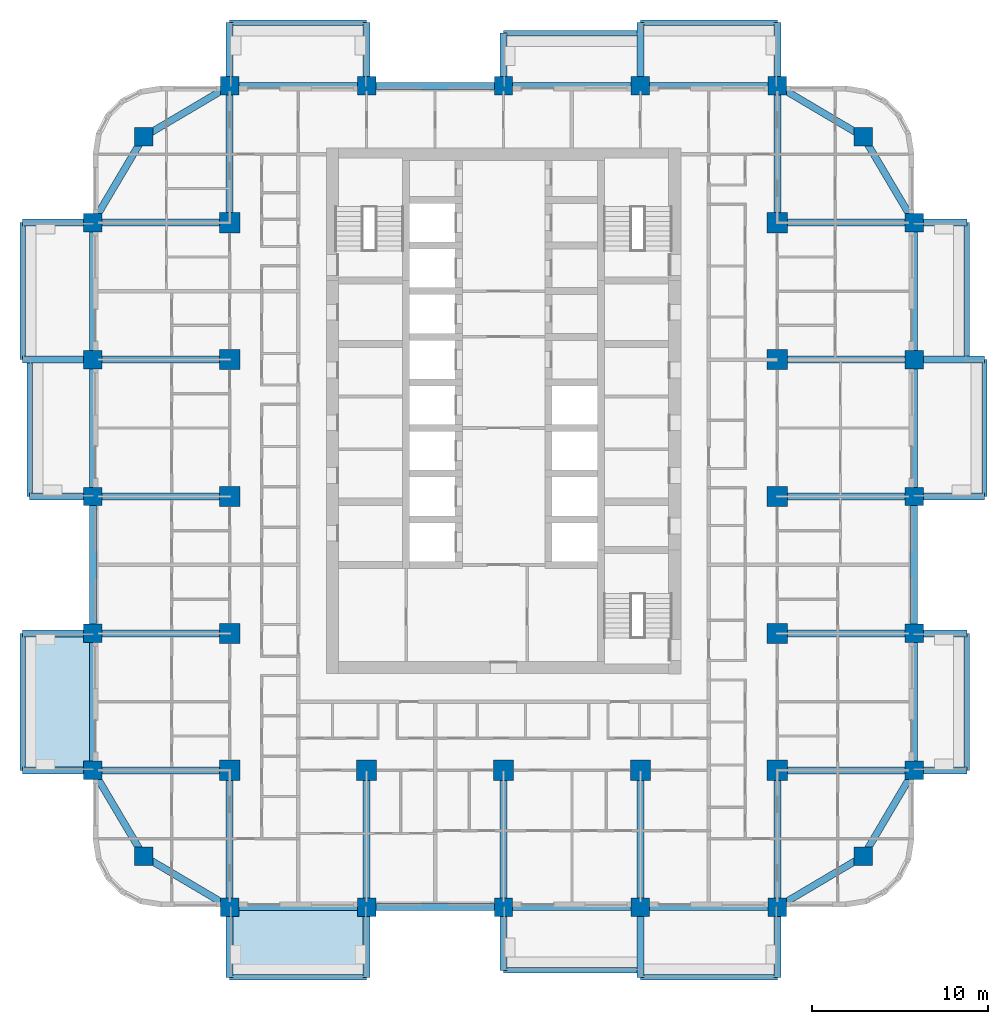
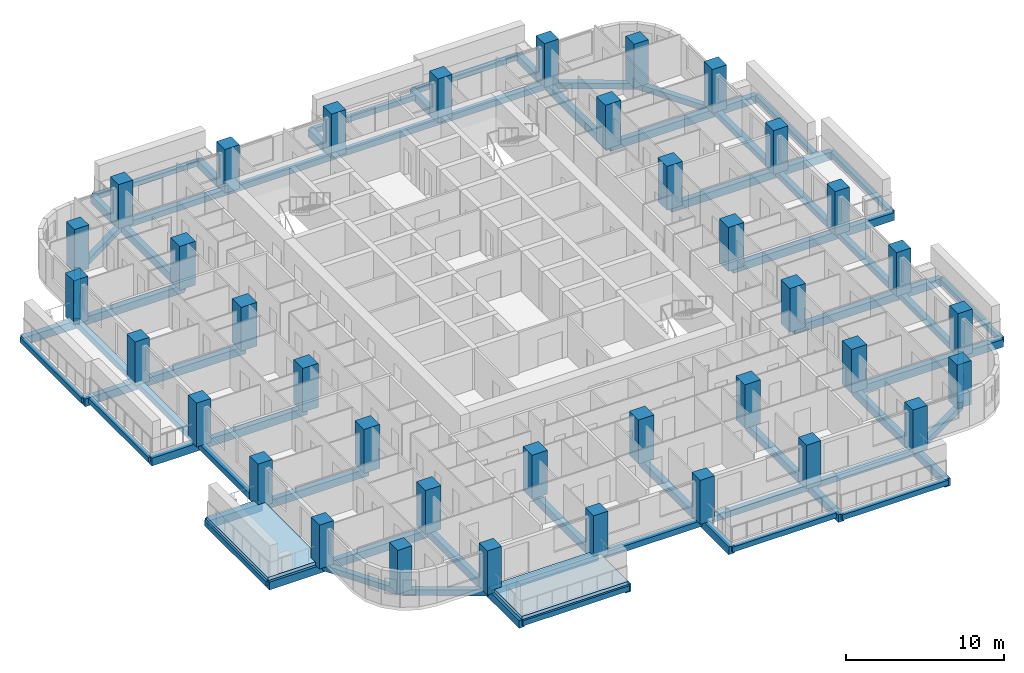
# One storey, part 1 of 18: 73 beams, 37 columns, 2 slabs.
"""IFC4 building model written with IfcOpenShell, lengths in metres."""

from ifc_helpers import new_model, si_unit, direction, frame, origin, origin_2d, place, context, subcontext, project, spatial, polyline, rectangle, outline, extrude, material, layer, layer_set, material_profile, profile_set, type_object, element, save


model = new_model("IFC4")

# Units and contexts
model_context = context("Model", 3, precision=1e-05, world=origin(), true_north=direction((0.0, 1.0)))
body_context = subcontext(model_context, "Body", "Model", "MODEL_VIEW")
ifc_project = project(units=[si_unit("LENGTHUNIT", "METRE"), si_unit("AREAUNIT", "SQUARE_METRE"), si_unit("VOLUMEUNIT", "CUBIC_METRE"), si_unit("PLANEANGLEUNIT", "RADIAN"), si_unit("MASSUNIT", "GRAM", prefix="KILO")], contexts=[model_context])

# Site, building, storey
site_placement = place(None, origin())
site = spatial("IfcSite", under=ifc_project, at=site_placement, CompositionType="ELEMENT")
building_placement = place(site_placement, origin())
building = spatial("IfcBuilding", under=site, at=building_placement, Name="Ludao Terraces", CompositionType="ELEMENT")
storey_placement = place(building_placement, frame((0.0, 0.0, 29.699951171875)))
storey = spatial("IfcBuildingStorey", under=building, at=storey_placement, Name="L07", CompositionType="ELEMENT", Elevation=29.699951171875)

# Columns
ifc_material_1 = material(Name="Concrete C60", Category="concrete")
ifc_material_profile_1 = material_profile(ifc_material_1, rectangle(XDim=1.050048828125, YDim=1.050048828125, at=origin_2d()), Name="1050 X 1050")
ifc_profile_set_1 = profile_set([ifc_material_profile_1], Name="Concrete C60")
column_type_1 = type_object("IfcColumnType", Name="RC column 1050x1050 C60", PredefinedType="COLUMN", material=ifc_profile_set_1)
for number, where, z_axis, x_axis, name in (
    (1, (64.5, 44.5, -0.25), (0.0, 0.0, 1.0), (1.0, 0.0, 0.0), "Column L07 C0029x0029"),
    (2, (105.5, 44.5, -0.25), (0.0, 0.0, 1.0), (1.0, 0.0, 0.0), "Column L07 C0439x0029"),
    (3, (64.5, 85.5, -0.25), (0.0, 0.0, 1.0), (1.0, 0.0, 0.0), "Column L07 C0029x0439"),
    (4, (105.5, 85.5, -0.25), (0.0, 0.0, 1.0), (1.0, 0.0, 0.0), "Column L07 C0439x0439"),
    (5, (61.60009765625, 49.39990234375, -0.25), (0.0, 0.0, 1.0), (1.0, 0.0, 0.0), "Column L07 F0000x0078"),
    (6, (108.39990234375, 49.39990234375, -0.25), (0.0, 0.0, 1.0), (1.0, 0.0, 0.0), "Column L07 F0468x0078"),
    (7, (69.39990234375, 41.60009765625, -0.25), (0.0, 0.0, 1.0), (1.0, 0.0, 0.0), "Column L07 F0078x0000"),
    (8, (69.39990234375, 88.39990234375, -0.25), (0.0, 0.0, 1.0), (1.0, 0.0, 0.0), "Column L07 F0078x0468"),
    (9, (61.60009765625, 57.199951171875, -0.25), (0.0, 0.0, 1.0), (1.0, 0.0, 0.0), "Column L07 F0000x0156"),
    (10, (108.39990234375, 57.199951171875, -0.25), (0.0, 0.0, 1.0), (1.0, 0.0, 0.0), "Column L07 F0468x0156"),
    (11, (77.199951171875, 41.60009765625, -0.25), (0.0, 0.0, 1.0), (1.0, 0.0, 0.0), "Column L07 F0156x0000"),
    (12, (77.199951171875, 88.39990234375, -0.25), (0.0, 0.0, 1.0), (1.0, 0.0, 0.0), "Column L07 F0156x0468"),
    (13, (61.60009765625, 65.0, -0.25), (0.0, 0.0, 1.0), (1.0, 0.0, 0.0), "Column L07 F0000x0234"),
    (14, (108.39990234375, 65.0, -0.25), (0.0, 0.0, 1.0), (1.0, 0.0, 0.0), "Column L07 F0468x0234"),
    (15, (85.0, 41.60009765625, -0.25), (0.0, 0.0, 1.0), (1.0, 0.0, 0.0), "Column L07 F0234x0000"),
    (16, (85.0, 88.39990234375, -0.25), (0.0, 0.0, 1.0), (1.0, 0.0, 0.0), "Column L07 F0234x0468"),
    (17, (61.60009765625, 72.800048828125, -0.25), (0.0, 0.0, 1.0), (1.0, 0.0, 0.0), "Column L07 F0000x0312"),
    (18, (108.39990234375, 72.800048828125, -0.25), (0.0, 0.0, 1.0), (1.0, 0.0, 0.0), "Column L07 F0468x0312"),
    (19, (92.800048828125, 41.60009765625, -0.25), (0.0, 0.0, 1.0), (1.0, 0.0, 0.0), "Column L07 F0312x0000"),
    (20, (92.800048828125, 88.39990234375, -0.25), (0.0, 0.0, 1.0), (1.0, 0.0, 0.0), "Column L07 F0312x0468"),
    (21, (61.60009765625, 80.60009765625, -0.25), (0.0, 0.0, 1.0), (1.0, 0.0, 0.0), "Column L07 F0000x0390"),
    (22, (108.39990234375, 80.60009765625, -0.25), (0.0, 0.0, 1.0), (1.0, 0.0, 0.0), "Column L07 F0468x0390"),
    (23, (100.60009765625, 41.60009765625, -0.25), (0.0, 0.0, 1.0), (1.0, 0.0, 0.0), "Column L07 F0390x0000"),
    (24, (100.60009765625, 88.39990234375, -0.25), (0.0, 0.0, 1.0), (1.0, 0.0, 0.0), "Column L07 F0390x0468"),
):
    element("IfcColumn", number, at=place(storey_placement, frame(where, z_axis=z_axis, x_axis=x_axis)), inside=storey, type_object=column_type_1, Name=name, PredefinedType="COLUMN", context=body_context, shape_type="SweptSolid", body=[
        extrude(rectangle(XDim=1.050048828125, YDim=1.050048828125, at=origin_2d()), origin(), (0.0, 0.0, 1.0), 3.400146484375),
    ])
ifc_material_profile_2 = material_profile(ifc_material_1, rectangle(XDim=1.14990234375, YDim=1.14990234375, at=origin_2d()), Name="1150 X 1150")
ifc_profile_set_2 = profile_set([ifc_material_profile_2], Name="Concrete C60")
column_type_2 = type_object("IfcColumnType", Name="RC column 1150x1150 C60", PredefinedType="COLUMN", material=ifc_profile_set_2)
for number, where, z_axis, x_axis, name in (
    (25, (69.39990234375, 49.39990234375, -0.25), (0.0, 0.0, 1.0), (1.0, 0.0, 0.0), "Column L07 S0078x0078"),
    (26, (69.39990234375, 57.199951171875, -0.25), (0.0, 0.0, 1.0), (1.0, 0.0, 0.0), "Column L07 S0078x0156"),
    (27, (69.39990234375, 65.0, -0.25), (0.0, 0.0, 1.0), (1.0, 0.0, 0.0), "Column L07 S0078x0234"),
    (28, (69.39990234375, 72.800048828125, -0.25), (0.0, 0.0, 1.0), (1.0, 0.0, 0.0), "Column L07 S0078x0312"),
    (29, (69.39990234375, 80.60009765625, -0.25), (0.0, 0.0, 1.0), (1.0, 0.0, 0.0), "Column L07 S0078x0390"),
    (30, (77.199951171875, 49.39990234375, -0.25), (0.0, 0.0, 1.0), (1.0, 0.0, 0.0), "Column L07 S0156x0078"),
    (31, (85.0, 49.39990234375, -0.25), (0.0, 0.0, 1.0), (1.0, 0.0, 0.0), "Column L07 S0234x0078"),
    (32, (92.800048828125, 49.39990234375, -0.25), (0.0, 0.0, 1.0), (1.0, 0.0, 0.0), "Column L07 S0312x0078"),
    (33, (100.60009765625, 49.39990234375, -0.25), (0.0, 0.0, 1.0), (1.0, 0.0, 0.0), "Column L07 S0390x0078"),
    (34, (100.60009765625, 57.199951171875, -0.25), (0.0, 0.0, 1.0), (1.0, 0.0, 0.0), "Column L07 S0390x0156"),
    (35, (100.60009765625, 65.0, -0.25), (0.0, 0.0, 1.0), (1.0, 0.0, 0.0), "Column L07 S0390x0234"),
    (36, (100.60009765625, 72.800048828125, -0.25), (0.0, 0.0, 1.0), (1.0, 0.0, 0.0), "Column L07 S0390x0312"),
    (37, (100.60009765625, 80.60009765625, -0.25), (0.0, 0.0, 1.0), (1.0, 0.0, 0.0), "Column L07 S0390x0390"),
):
    element("IfcColumn", number, at=place(storey_placement, frame(where, z_axis=z_axis, x_axis=x_axis)), inside=storey, type_object=column_type_2, Name=name, PredefinedType="COLUMN", context=body_context, shape_type="SweptSolid", body=[
        extrude(rectangle(XDim=1.14990234375, YDim=1.14990234375, at=origin_2d()), origin(), (0.0, 0.0, 1.0), 3.400146484375),
    ])

# Beams
ifc_material_2 = material(Name="Concrete C40", Category="concrete")
ifc_material_profile_3 = material_profile(ifc_material_2, rectangle(XDim=0.300048828125, YDim=0.39990234375, at=origin_2d()), Name="300 X 400")
ifc_profile_set_3 = profile_set([ifc_material_profile_3], Name="Concrete C40")
beam_type_1 = type_object("IfcBeamType", Name="RC beam 300x400 C40", PredefinedType="BEAM", material=ifc_profile_set_3)
for number, where, z_axis, x_axis, name in (
    (38, (69.39990234375, 37.60009765625, -0.449951171875), (1.0, 0.0, 0.0), (0.0, 1.0, 0.0), "Balcony edge beam L07 S1"),
    (39, (85.0, 38.0, -0.449951171875), (1.0, 0.0, 0.0), (0.0, 1.0, 0.0), "Balcony edge beam L07 S3"),
    (40, (92.800048828125, 37.60009765625, -0.449951171875), (1.0, 0.0, 0.0), (0.0, 1.0, 0.0), "Balcony edge beam L07 S4"),
    (41, (111.39990234375, 49.39990234375, -0.449951171875), (0.0, 1.0, 0.0), (-1.0, 0.0, 0.0), "Balcony edge beam L07 E1"),
    (42, (112.39990234375, 65.0, -0.449951171875), (0.0, 1.0, 0.0), (-1.0, 0.0, 0.0), "Balcony edge beam L07 E3"),
    (43, (111.39990234375, 72.800048828125, -0.449951171875), (0.0, 1.0, 0.0), (-1.0, 0.0, 0.0), "Balcony edge beam L07 E4"),
    (44, (69.39990234375, 92.0, -0.449951171875), (1.0, 0.0, 0.0), (0.0, 1.0, 0.0), "Balcony edge beam L07 N1"),
    (45, (85.0, 91.39990234375, -0.449951171875), (1.0, 0.0, 0.0), (0.0, 1.0, 0.0), "Balcony edge beam L07 N3"),
    (46, (92.800048828125, 92.0, -0.449951171875), (1.0, 0.0, 0.0), (0.0, 1.0, 0.0), "Balcony edge beam L07 N4"),
    (47, (57.60009765625, 49.39990234375, -0.449951171875), (0.0, 1.0, 0.0), (-1.0, 0.0, 0.0), "Balcony edge beam L07 W1"),
    (48, (58.0, 65.0, -0.449951171875), (0.0, 1.0, 0.0), (-1.0, 0.0, 0.0), "Balcony edge beam L07 W3"),
    (49, (57.60009765625, 72.800048828125, -0.449951171875), (0.0, 1.0, 0.0), (-1.0, 0.0, 0.0), "Balcony edge beam L07 W4"),
):
    element("IfcBeam", number, at=place(storey_placement, frame(where, z_axis=z_axis, x_axis=x_axis)), inside=storey, type_object=beam_type_1, Name=name, PredefinedType="BEAM", context=body_context, shape_type="SweptSolid", body=[
        extrude(rectangle(XDim=0.300048828125, YDim=0.39990234375, at=origin_2d()), origin(), (0.0, 0.0, 1.0), 7.800048828125),
    ])
ifc_material_profile_4 = material_profile(ifc_material_2, rectangle(XDim=0.39990234375, YDim=0.449951171875, at=origin_2d()), Name="400 X 450")
ifc_profile_set_4 = profile_set([ifc_material_profile_4], Name="Concrete C40")
beam_type_2 = type_object("IfcBeamType", Name="RC beam 400x450 C40", PredefinedType="BEAM", material=ifc_profile_set_4)
beam_1_placement = place(storey_placement, frame((64.5, 44.5, -0.474853515625), z_axis=(0.860579751256, -0.509315709288, 0.0), x_axis=(0.509315709288, 0.860579751256, 0.0)))
element("IfcBeam", 50, at=beam_1_placement, inside=storey, type_object=beam_type_2, Name="Spandrel beam L07 S1", PredefinedType="BEAM", context=body_context, shape_type="SweptSolid", body=[
    extrude(rectangle(XDim=0.39990234375, YDim=0.449951171875, at=origin_2d()), origin(), (0.0, 0.0, 1.0), 5.693603515625),
])
for number, where, z_axis, x_axis, name in (
    (51, (69.39990234375, 41.60009765625, -0.474853515625), (1.0, 0.0, 0.0), (0.0, 1.0, 0.0), "Spandrel beam L07 S2"),
    (52, (77.199951171875, 41.60009765625, -0.474853515625), (1.0, 0.0, 0.0), (0.0, 1.0, 0.0), "Spandrel beam L07 S3"),
    (53, (85.0, 41.60009765625, -0.474853515625), (1.0, 0.0, 0.0), (0.0, 1.0, 0.0), "Spandrel beam L07 S4"),
    (54, (92.800048828125, 41.60009765625, -0.474853515625), (1.0, 0.0, 0.0), (0.0, 1.0, 0.0), "Spandrel beam L07 S5"),
):
    element("IfcBeam", number, at=place(storey_placement, frame(where, z_axis=z_axis, x_axis=x_axis)), inside=storey, type_object=beam_type_2, Name=name, PredefinedType="BEAM", context=body_context, shape_type="SweptSolid", body=[
        extrude(rectangle(XDim=0.39990234375, YDim=0.449951171875, at=origin_2d()), origin(), (0.0, 0.0, 1.0), 7.800048828125),
    ])
for number, where, z_axis, x_axis, name in (
    (55, (100.60009765625, 41.60009765625, -0.474853515625), (0.860579751256, 0.509315709288, 0.0), (-0.509315709288, 0.860579751256, 0.0), "Spandrel beam L07 S6"),
    (56, (64.5, 85.5, -0.474853515625), (0.860579751256, 0.509315709288, 0.0), (-0.509315709288, 0.860579751256, 0.0), "Spandrel beam L07 N7"),
):
    element("IfcBeam", number, at=place(storey_placement, frame(where, z_axis=z_axis, x_axis=x_axis)), inside=storey, type_object=beam_type_2, Name=name, PredefinedType="BEAM", context=body_context, shape_type="SweptSolid", body=[
        extrude(rectangle(XDim=0.39990234375, YDim=0.449951171875, at=origin_2d()), origin(), (0.0, 0.0, 1.0), 5.693603515625),
    ])
for number, where, z_axis, x_axis, name in (
    (57, (69.39990234375, 88.39990234375, -0.474853515625), (1.0, 0.0, 0.0), (0.0, 1.0, 0.0), "Spandrel beam L07 N8"),
    (58, (77.199951171875, 88.39990234375, -0.474853515625), (1.0, 0.0, 0.0), (0.0, 1.0, 0.0), "Spandrel beam L07 N9"),
    (59, (85.0, 88.39990234375, -0.474853515625), (1.0, 0.0, 0.0), (0.0, 1.0, 0.0), "Spandrel beam L07 N10"),
    (60, (92.800048828125, 88.39990234375, -0.474853515625), (1.0, 0.0, 0.0), (0.0, 1.0, 0.0), "Spandrel beam L07 N11"),
):
    element("IfcBeam", number, at=place(storey_placement, frame(where, z_axis=z_axis, x_axis=x_axis)), inside=storey, type_object=beam_type_2, Name=name, PredefinedType="BEAM", context=body_context, shape_type="SweptSolid", body=[
        extrude(rectangle(XDim=0.39990234375, YDim=0.449951171875, at=origin_2d()), origin(), (0.0, 0.0, 1.0), 7.800048828125),
    ])
for number, where, z_axis, x_axis, name in (
    (61, (100.60009765625, 88.39990234375, -0.474853515625), (0.860579751256, -0.509315709288, 0.0), (0.509315709288, 0.860579751256, 0.0), "Spandrel beam L07 N12"),
    (62, (64.5, 44.5, -0.474853515625), (-0.509315709288, 0.860579751256, 0.0), (-0.860579751256, -0.509315709288, 0.0), "Spandrel beam L07 W13"),
):
    element("IfcBeam", number, at=place(storey_placement, frame(where, z_axis=z_axis, x_axis=x_axis)), inside=storey, type_object=beam_type_2, Name=name, PredefinedType="BEAM", context=body_context, shape_type="SweptSolid", body=[
        extrude(rectangle(XDim=0.39990234375, YDim=0.449951171875, at=origin_2d()), origin(), (0.0, 0.0, 1.0), 5.693603515625),
    ])
for number, where, z_axis, x_axis, name in (
    (63, (61.60009765625, 49.39990234375, -0.474853515625), (0.0, 1.0, 0.0), (-1.0, 0.0, 0.0), "Spandrel beam L07 W14"),
    (64, (61.60009765625, 57.199951171875, -0.474853515625), (0.0, 1.0, 0.0), (-1.0, 0.0, 0.0), "Spandrel beam L07 W15"),
    (65, (61.60009765625, 65.0, -0.474853515625), (0.0, 1.0, 0.0), (-1.0, 0.0, 0.0), "Spandrel beam L07 W16"),
    (66, (61.60009765625, 72.800048828125, -0.474853515625), (0.0, 1.0, 0.0), (-1.0, 0.0, 0.0), "Spandrel beam L07 W17"),
):
    element("IfcBeam", number, at=place(storey_placement, frame(where, z_axis=z_axis, x_axis=x_axis)), inside=storey, type_object=beam_type_2, Name=name, PredefinedType="BEAM", context=body_context, shape_type="SweptSolid", body=[
        extrude(rectangle(XDim=0.39990234375, YDim=0.449951171875, at=origin_2d()), origin(), (0.0, 0.0, 1.0), 7.800048828125),
    ])
for number, where, z_axis, x_axis, name in (
    (67, (61.60009765625, 80.60009765625, -0.474853515625), (0.509315709288, 0.860579751256, 0.0), (-0.860579751256, 0.509315709288, 0.0), "Spandrel beam L07 W18"),
    (68, (105.5, 44.5, -0.474853515625), (0.509315709288, 0.860579751256, 0.0), (-0.860579751256, 0.509315709288, 0.0), "Spandrel beam L07 E19"),
):
    element("IfcBeam", number, at=place(storey_placement, frame(where, z_axis=z_axis, x_axis=x_axis)), inside=storey, type_object=beam_type_2, Name=name, PredefinedType="BEAM", context=body_context, shape_type="SweptSolid", body=[
        extrude(rectangle(XDim=0.39990234375, YDim=0.449951171875, at=origin_2d()), origin(), (0.0, 0.0, 1.0), 5.693603515625),
    ])
for number, where, z_axis, x_axis, name in (
    (69, (108.39990234375, 49.39990234375, -0.474853515625), (0.0, 1.0, 0.0), (-1.0, 0.0, 0.0), "Spandrel beam L07 E20"),
    (70, (108.39990234375, 57.199951171875, -0.474853515625), (0.0, 1.0, 0.0), (-1.0, 0.0, 0.0), "Spandrel beam L07 E21"),
    (71, (108.39990234375, 65.0, -0.474853515625), (0.0, 1.0, 0.0), (-1.0, 0.0, 0.0), "Spandrel beam L07 E22"),
    (72, (108.39990234375, 72.800048828125, -0.474853515625), (0.0, 1.0, 0.0), (-1.0, 0.0, 0.0), "Spandrel beam L07 E23"),
):
    element("IfcBeam", number, at=place(storey_placement, frame(where, z_axis=z_axis, x_axis=x_axis)), inside=storey, type_object=beam_type_2, Name=name, PredefinedType="BEAM", context=body_context, shape_type="SweptSolid", body=[
        extrude(rectangle(XDim=0.39990234375, YDim=0.449951171875, at=origin_2d()), origin(), (0.0, 0.0, 1.0), 7.800048828125),
    ])
beam_2_placement = place(storey_placement, frame((108.39990234375, 80.60009765625, -0.474853515625), z_axis=(-0.509315709288, 0.860579751256, 0.0), x_axis=(-0.860579751256, -0.509315709288, 0.0)))
element("IfcBeam", 73, at=beam_2_placement, inside=storey, type_object=beam_type_2, Name="Spandrel beam L07 E24", PredefinedType="BEAM", context=body_context, shape_type="SweptSolid", body=[
    extrude(rectangle(XDim=0.39990234375, YDim=0.449951171875, at=origin_2d()), origin(), (0.0, 0.0, 1.0), 5.693603515625),
])
ifc_material_profile_5 = material_profile(ifc_material_2, rectangle(XDim=0.39990234375, YDim=0.60009765625, at=origin_2d()), Name="400 X 600")
ifc_profile_set_5 = profile_set([ifc_material_profile_5], Name="Concrete C40")
beam_type_3 = type_object("IfcBeamType", Name="RC beam 400x600 C40", PredefinedType="BEAM", material=ifc_profile_set_5)
beam_3_placement = place(storey_placement, frame((100.60009765625, 49.39990234375, -0.550048828125), z_axis=(1.0, 0.0, 0.0), x_axis=(0.0, 1.0, 0.0)))
element("IfcBeam", 74, at=beam_3_placement, inside=storey, type_object=beam_type_3, Name="Balcony beam L07 E494", PredefinedType="BEAM", context=body_context, shape_type="SweptSolid", body=[
    extrude(rectangle(XDim=0.39990234375, YDim=0.60009765625, at=origin_2d()), origin(), (0.0, 0.0, 1.0), 7.7998046875),
])
beam_4_placement = place(storey_placement, frame((108.39990234375, 49.39990234375, -0.550048828125), z_axis=(1.0, 0.0, 0.0), x_axis=(0.0, 1.0, 0.0)))
element("IfcBeam", 75, at=beam_4_placement, inside=storey, type_object=beam_type_3, Name="Balcony beam L07 E494", PredefinedType="BEAM", context=body_context, shape_type="SweptSolid", body=[
    extrude(rectangle(XDim=0.39990234375, YDim=0.60009765625, at=origin_2d()), origin(), (0.0, 0.0, 1.0), 3.0),
])
beam_5_placement = place(storey_placement, frame((100.60009765625, 57.199951171875, -0.550048828125), z_axis=(1.0, 0.0, 0.0), x_axis=(0.0, 1.0, 0.0)))
element("IfcBeam", 76, at=beam_5_placement, inside=storey, type_object=beam_type_3, Name="Balcony beam L07 E572", PredefinedType="BEAM", context=body_context, shape_type="SweptSolid", body=[
    extrude(rectangle(XDim=0.39990234375, YDim=0.60009765625, at=origin_2d()), origin(), (0.0, 0.0, 1.0), 7.7998046875),
])
beam_6_placement = place(storey_placement, frame((108.39990234375, 57.199951171875, -0.550048828125), z_axis=(1.0, 0.0, 0.0), x_axis=(0.0, 1.0, 0.0)))
element("IfcBeam", 77, at=beam_6_placement, inside=storey, type_object=beam_type_3, Name="Balcony beam L07 E572", PredefinedType="BEAM", context=body_context, shape_type="SweptSolid", body=[
    extrude(rectangle(XDim=0.39990234375, YDim=0.60009765625, at=origin_2d()), origin(), (0.0, 0.0, 1.0), 3.0),
])
beam_7_placement = place(storey_placement, frame((100.60009765625, 65.0, -0.550048828125), z_axis=(1.0, 0.0, 0.0), x_axis=(0.0, 1.0, 0.0)))
element("IfcBeam", 78, at=beam_7_placement, inside=storey, type_object=beam_type_3, Name="Balcony beam L07 E650", PredefinedType="BEAM", context=body_context, shape_type="SweptSolid", body=[
    extrude(rectangle(XDim=0.39990234375, YDim=0.60009765625, at=origin_2d()), origin(), (0.0, 0.0, 1.0), 7.7998046875),
])
beam_8_placement = place(storey_placement, frame((108.39990234375, 65.0, -0.550048828125), z_axis=(1.0, 0.0, 0.0), x_axis=(0.0, 1.0, 0.0)))
element("IfcBeam", 79, at=beam_8_placement, inside=storey, type_object=beam_type_3, Name="Balcony beam L07 E650", PredefinedType="BEAM", context=body_context, shape_type="SweptSolid", body=[
    extrude(rectangle(XDim=0.39990234375, YDim=0.60009765625, at=origin_2d()), origin(), (0.0, 0.0, 1.0), 4.0),
])
beam_9_placement = place(storey_placement, frame((100.60009765625, 72.800048828125, -0.550048828125), z_axis=(1.0, 0.0, 0.0), x_axis=(0.0, 1.0, 0.0)))
element("IfcBeam", 80, at=beam_9_placement, inside=storey, type_object=beam_type_3, Name="Balcony beam L07 E728", PredefinedType="BEAM", context=body_context, shape_type="SweptSolid", body=[
    extrude(rectangle(XDim=0.39990234375, YDim=0.60009765625, at=origin_2d()), origin(), (0.0, 0.0, 1.0), 7.7998046875),
])
beam_10_placement = place(storey_placement, frame((108.39990234375, 72.800048828125, -0.550048828125), z_axis=(1.0, 0.0, 0.0), x_axis=(0.0, 1.0, 0.0)))
element("IfcBeam", 81, at=beam_10_placement, inside=storey, type_object=beam_type_3, Name="Balcony beam L07 E728", PredefinedType="BEAM", context=body_context, shape_type="SweptSolid", body=[
    extrude(rectangle(XDim=0.39990234375, YDim=0.60009765625, at=origin_2d()), origin(), (0.0, 0.0, 1.0), 4.0),
])
beam_11_placement = place(storey_placement, frame((100.60009765625, 80.60009765625, -0.550048828125), z_axis=(1.0, 0.0, 0.0), x_axis=(0.0, 1.0, 0.0)))
element("IfcBeam", 82, at=beam_11_placement, inside=storey, type_object=beam_type_3, Name="Balcony beam L07 E806", PredefinedType="BEAM", context=body_context, shape_type="SweptSolid", body=[
    extrude(rectangle(XDim=0.39990234375, YDim=0.60009765625, at=origin_2d()), origin(), (0.0, 0.0, 1.0), 7.7998046875),
])
beam_12_placement = place(storey_placement, frame((108.39990234375, 80.60009765625, -0.550048828125), z_axis=(1.0, 0.0, 0.0), x_axis=(0.0, 1.0, 0.0)))
element("IfcBeam", 83, at=beam_12_placement, inside=storey, type_object=beam_type_3, Name="Balcony beam L07 E806", PredefinedType="BEAM", context=body_context, shape_type="SweptSolid", body=[
    extrude(rectangle(XDim=0.39990234375, YDim=0.60009765625, at=origin_2d()), origin(), (0.0, 0.0, 1.0), 3.0),
])
beam_13_placement = place(storey_placement, frame((100.60009765625, 80.60009765625, -0.550048828125), z_axis=(0.0, 1.0, 0.0), x_axis=(-1.0, 0.0, 0.0)))
element("IfcBeam", 84, at=beam_13_placement, inside=storey, type_object=beam_type_3, Name="Balcony beam L07 N1006", PredefinedType="BEAM", context=body_context, shape_type="SweptSolid", body=[
    extrude(rectangle(XDim=0.39990234375, YDim=0.60009765625, at=origin_2d()), origin(), (0.0, 0.0, 1.0), 7.7998046875),
])
beam_14_placement = place(storey_placement, frame((100.60009765625, 88.39990234375, -0.550048828125), z_axis=(0.0, 1.0, 0.0), x_axis=(-1.0, 0.0, 0.0)))
element("IfcBeam", 85, at=beam_14_placement, inside=storey, type_object=beam_type_3, Name="Balcony beam L07 N1006", PredefinedType="BEAM", context=body_context, shape_type="SweptSolid", body=[
    extrude(rectangle(XDim=0.39990234375, YDim=0.60009765625, at=origin_2d()), origin(), (0.0, 0.0, 1.0), 3.60009765625),
])
beam_15_placement = place(storey_placement, frame((69.39990234375, 80.60009765625, -0.550048828125), z_axis=(0.0, 1.0, 0.0), x_axis=(-1.0, 0.0, 0.0)))
element("IfcBeam", 86, at=beam_15_placement, inside=storey, type_object=beam_type_3, Name="Balcony beam L07 N694", PredefinedType="BEAM", context=body_context, shape_type="SweptSolid", body=[
    extrude(rectangle(XDim=0.39990234375, YDim=0.60009765625, at=origin_2d()), origin(), (0.0, 0.0, 1.0), 7.7998046875),
])
for number, where, z_axis, x_axis, name in (
    (87, (69.39990234375, 88.39990234375, -0.550048828125), (0.0, 1.0, 0.0), (-1.0, 0.0, 0.0), "Balcony beam L07 N694"),
    (88, (77.199951171875, 88.39990234375, -0.550048828125), (0.0, 1.0, 0.0), (-1.0, 0.0, 0.0), "Balcony beam L07 N772"),
):
    element("IfcBeam", number, at=place(storey_placement, frame(where, z_axis=z_axis, x_axis=x_axis)), inside=storey, type_object=beam_type_3, Name=name, PredefinedType="BEAM", context=body_context, shape_type="SweptSolid", body=[
        extrude(rectangle(XDim=0.39990234375, YDim=0.60009765625, at=origin_2d()), origin(), (0.0, 0.0, 1.0), 3.60009765625),
    ])
beam_16_placement = place(storey_placement, frame((85.0, 88.39990234375, -0.550048828125), z_axis=(0.0, 1.0, 0.0), x_axis=(-1.0, 0.0, 0.0)))
element("IfcBeam", 89, at=beam_16_placement, inside=storey, type_object=beam_type_3, Name="Balcony beam L07 N850", PredefinedType="BEAM", context=body_context, shape_type="SweptSolid", body=[
    extrude(rectangle(XDim=0.39990234375, YDim=0.60009765625, at=origin_2d()), origin(), (0.0, 0.0, 1.0), 3.0),
])
beam_17_placement = place(storey_placement, frame((92.800048828125, 88.39990234375, -0.550048828125), z_axis=(0.0, 1.0, 0.0), x_axis=(-1.0, 0.0, 0.0)))
element("IfcBeam", 90, at=beam_17_placement, inside=storey, type_object=beam_type_3, Name="Balcony beam L07 N928", PredefinedType="BEAM", context=body_context, shape_type="SweptSolid", body=[
    extrude(rectangle(XDim=0.39990234375, YDim=0.60009765625, at=origin_2d()), origin(), (0.0, 0.0, 1.0), 3.60009765625),
])
beam_18_placement = place(storey_placement, frame((100.60009765625, 49.39990234375, -0.550048828125), z_axis=(0.0, -1.0, 0.0), x_axis=(1.0, 0.0, 0.0)))
element("IfcBeam", 91, at=beam_18_placement, inside=storey, type_object=beam_type_3, Name="Balcony beam L07 S1006", PredefinedType="BEAM", context=body_context, shape_type="SweptSolid", body=[
    extrude(rectangle(XDim=0.39990234375, YDim=0.60009765625, at=origin_2d()), origin(), (0.0, 0.0, 1.0), 7.7998046875),
])
beam_19_placement = place(storey_placement, frame((100.60009765625, 41.60009765625, -0.550048828125), z_axis=(0.0, -1.0, 0.0), x_axis=(1.0, 0.0, 0.0)))
element("IfcBeam", 92, at=beam_19_placement, inside=storey, type_object=beam_type_3, Name="Balcony beam L07 S1006", PredefinedType="BEAM", context=body_context, shape_type="SweptSolid", body=[
    extrude(rectangle(XDim=0.39990234375, YDim=0.60009765625, at=origin_2d()), origin(), (0.0, 0.0, 1.0), 4.0),
])
beam_20_placement = place(storey_placement, frame((69.39990234375, 49.39990234375, -0.550048828125), z_axis=(0.0, -1.0, 0.0), x_axis=(1.0, 0.0, 0.0)))
element("IfcBeam", 93, at=beam_20_placement, inside=storey, type_object=beam_type_3, Name="Balcony beam L07 S694", PredefinedType="BEAM", context=body_context, shape_type="SweptSolid", body=[
    extrude(rectangle(XDim=0.39990234375, YDim=0.60009765625, at=origin_2d()), origin(), (0.0, 0.0, 1.0), 7.7998046875),
])
beam_21_placement = place(storey_placement, frame((69.39990234375, 41.60009765625, -0.550048828125), z_axis=(0.0, -1.0, 0.0), x_axis=(1.0, 0.0, 0.0)))
element("IfcBeam", 94, at=beam_21_placement, inside=storey, type_object=beam_type_3, Name="Balcony beam L07 S694", PredefinedType="BEAM", context=body_context, shape_type="SweptSolid", body=[
    extrude(rectangle(XDim=0.39990234375, YDim=0.60009765625, at=origin_2d()), origin(), (0.0, 0.0, 1.0), 4.0),
])
beam_22_placement = place(storey_placement, frame((77.199951171875, 49.39990234375, -0.550048828125), z_axis=(0.0, -1.0, 0.0), x_axis=(1.0, 0.0, 0.0)))
element("IfcBeam", 95, at=beam_22_placement, inside=storey, type_object=beam_type_3, Name="Balcony beam L07 S772", PredefinedType="BEAM", context=body_context, shape_type="SweptSolid", body=[
    extrude(rectangle(XDim=0.39990234375, YDim=0.60009765625, at=origin_2d()), origin(), (0.0, 0.0, 1.0), 7.7998046875),
])
beam_23_placement = place(storey_placement, frame((77.199951171875, 41.60009765625, -0.550048828125), z_axis=(0.0, -1.0, 0.0), x_axis=(1.0, 0.0, 0.0)))
element("IfcBeam", 96, at=beam_23_placement, inside=storey, type_object=beam_type_3, Name="Balcony beam L07 S772", PredefinedType="BEAM", context=body_context, shape_type="SweptSolid", body=[
    extrude(rectangle(XDim=0.39990234375, YDim=0.60009765625, at=origin_2d()), origin(), (0.0, 0.0, 1.0), 4.0),
])
beam_24_placement = place(storey_placement, frame((85.0, 49.39990234375, -0.550048828125), z_axis=(0.0, -1.0, 0.0), x_axis=(1.0, 0.0, 0.0)))
element("IfcBeam", 97, at=beam_24_placement, inside=storey, type_object=beam_type_3, Name="Balcony beam L07 S850", PredefinedType="BEAM", context=body_context, shape_type="SweptSolid", body=[
    extrude(rectangle(XDim=0.39990234375, YDim=0.60009765625, at=origin_2d()), origin(), (0.0, 0.0, 1.0), 7.7998046875),
])
beam_25_placement = place(storey_placement, frame((85.0, 41.60009765625, -0.550048828125), z_axis=(0.0, -1.0, 0.0), x_axis=(1.0, 0.0, 0.0)))
element("IfcBeam", 98, at=beam_25_placement, inside=storey, type_object=beam_type_3, Name="Balcony beam L07 S850", PredefinedType="BEAM", context=body_context, shape_type="SweptSolid", body=[
    extrude(rectangle(XDim=0.39990234375, YDim=0.60009765625, at=origin_2d()), origin(), (0.0, 0.0, 1.0), 3.60009765625),
])
beam_26_placement = place(storey_placement, frame((92.800048828125, 49.39990234375, -0.550048828125), z_axis=(0.0, -1.0, 0.0), x_axis=(1.0, 0.0, 0.0)))
element("IfcBeam", 99, at=beam_26_placement, inside=storey, type_object=beam_type_3, Name="Balcony beam L07 S928", PredefinedType="BEAM", context=body_context, shape_type="SweptSolid", body=[
    extrude(rectangle(XDim=0.39990234375, YDim=0.60009765625, at=origin_2d()), origin(), (0.0, 0.0, 1.0), 7.7998046875),
])
beam_27_placement = place(storey_placement, frame((92.800048828125, 41.60009765625, -0.550048828125), z_axis=(0.0, -1.0, 0.0), x_axis=(1.0, 0.0, 0.0)))
element("IfcBeam", 100, at=beam_27_placement, inside=storey, type_object=beam_type_3, Name="Balcony beam L07 S928", PredefinedType="BEAM", context=body_context, shape_type="SweptSolid", body=[
    extrude(rectangle(XDim=0.39990234375, YDim=0.60009765625, at=origin_2d()), origin(), (0.0, 0.0, 1.0), 4.0),
])
beam_28_placement = place(storey_placement, frame((69.39990234375, 49.39990234375, -0.550048828125), z_axis=(-1.0, 0.0, 0.0), x_axis=(0.0, -1.0, 0.0)))
element("IfcBeam", 101, at=beam_28_placement, inside=storey, type_object=beam_type_3, Name="Balcony beam L07 W494", PredefinedType="BEAM", context=body_context, shape_type="SweptSolid", body=[
    extrude(rectangle(XDim=0.39990234375, YDim=0.60009765625, at=origin_2d()), origin(), (0.0, 0.0, 1.0), 7.7998046875),
])
beam_29_placement = place(storey_placement, frame((61.60009765625, 49.39990234375, -0.550048828125), z_axis=(-1.0, 0.0, 0.0), x_axis=(0.0, -1.0, 0.0)))
element("IfcBeam", 102, at=beam_29_placement, inside=storey, type_object=beam_type_3, Name="Balcony beam L07 W494", PredefinedType="BEAM", context=body_context, shape_type="SweptSolid", body=[
    extrude(rectangle(XDim=0.39990234375, YDim=0.60009765625, at=origin_2d()), origin(), (0.0, 0.0, 1.0), 4.0),
])
beam_30_placement = place(storey_placement, frame((69.39990234375, 57.199951171875, -0.550048828125), z_axis=(-1.0, 0.0, 0.0), x_axis=(0.0, -1.0, 0.0)))
element("IfcBeam", 103, at=beam_30_placement, inside=storey, type_object=beam_type_3, Name="Balcony beam L07 W572", PredefinedType="BEAM", context=body_context, shape_type="SweptSolid", body=[
    extrude(rectangle(XDim=0.39990234375, YDim=0.60009765625, at=origin_2d()), origin(), (0.0, 0.0, 1.0), 7.7998046875),
])
beam_31_placement = place(storey_placement, frame((61.60009765625, 57.199951171875, -0.550048828125), z_axis=(-1.0, 0.0, 0.0), x_axis=(0.0, -1.0, 0.0)))
element("IfcBeam", 104, at=beam_31_placement, inside=storey, type_object=beam_type_3, Name="Balcony beam L07 W572", PredefinedType="BEAM", context=body_context, shape_type="SweptSolid", body=[
    extrude(rectangle(XDim=0.39990234375, YDim=0.60009765625, at=origin_2d()), origin(), (0.0, 0.0, 1.0), 4.0),
])
beam_32_placement = place(storey_placement, frame((69.39990234375, 65.0, -0.550048828125), z_axis=(-1.0, 0.0, 0.0), x_axis=(0.0, -1.0, 0.0)))
element("IfcBeam", 105, at=beam_32_placement, inside=storey, type_object=beam_type_3, Name="Balcony beam L07 W650", PredefinedType="BEAM", context=body_context, shape_type="SweptSolid", body=[
    extrude(rectangle(XDim=0.39990234375, YDim=0.60009765625, at=origin_2d()), origin(), (0.0, 0.0, 1.0), 7.7998046875),
])
beam_33_placement = place(storey_placement, frame((61.60009765625, 65.0, -0.550048828125), z_axis=(-1.0, 0.0, 0.0), x_axis=(0.0, -1.0, 0.0)))
element("IfcBeam", 106, at=beam_33_placement, inside=storey, type_object=beam_type_3, Name="Balcony beam L07 W650", PredefinedType="BEAM", context=body_context, shape_type="SweptSolid", body=[
    extrude(rectangle(XDim=0.39990234375, YDim=0.60009765625, at=origin_2d()), origin(), (0.0, 0.0, 1.0), 3.60009765625),
])
beam_34_placement = place(storey_placement, frame((69.39990234375, 72.800048828125, -0.550048828125), z_axis=(-1.0, 0.0, 0.0), x_axis=(0.0, -1.0, 0.0)))
element("IfcBeam", 107, at=beam_34_placement, inside=storey, type_object=beam_type_3, Name="Balcony beam L07 W728", PredefinedType="BEAM", context=body_context, shape_type="SweptSolid", body=[
    extrude(rectangle(XDim=0.39990234375, YDim=0.60009765625, at=origin_2d()), origin(), (0.0, 0.0, 1.0), 7.7998046875),
])
beam_35_placement = place(storey_placement, frame((61.60009765625, 72.800048828125, -0.550048828125), z_axis=(-1.0, 0.0, 0.0), x_axis=(0.0, -1.0, 0.0)))
element("IfcBeam", 108, at=beam_35_placement, inside=storey, type_object=beam_type_3, Name="Balcony beam L07 W728", PredefinedType="BEAM", context=body_context, shape_type="SweptSolid", body=[
    extrude(rectangle(XDim=0.39990234375, YDim=0.60009765625, at=origin_2d()), origin(), (0.0, 0.0, 1.0), 4.0),
])
beam_36_placement = place(storey_placement, frame((69.39990234375, 80.60009765625, -0.550048828125), z_axis=(-1.0, 0.0, 0.0), x_axis=(0.0, -1.0, 0.0)))
element("IfcBeam", 109, at=beam_36_placement, inside=storey, type_object=beam_type_3, Name="Balcony beam L07 W806", PredefinedType="BEAM", context=body_context, shape_type="SweptSolid", body=[
    extrude(rectangle(XDim=0.39990234375, YDim=0.60009765625, at=origin_2d()), origin(), (0.0, 0.0, 1.0), 7.7998046875),
])
beam_37_placement = place(storey_placement, frame((61.60009765625, 80.60009765625, -0.550048828125), z_axis=(-1.0, 0.0, 0.0), x_axis=(0.0, -1.0, 0.0)))
element("IfcBeam", 110, at=beam_37_placement, inside=storey, type_object=beam_type_3, Name="Balcony beam L07 W806", PredefinedType="BEAM", context=body_context, shape_type="SweptSolid", body=[
    extrude(rectangle(XDim=0.39990234375, YDim=0.60009765625, at=origin_2d()), origin(), (0.0, 0.0, 1.0), 4.0),
])

# Slabs
ifc_layer = layer(ifc_material_2, 0.25)
ifc_layer_set = layer_set([ifc_layer], Name="Balcony slab 250 C40")
slab_type = type_object("IfcSlabType", Name="Balcony slab 250 C40", PredefinedType="USERDEFINED", material=ifc_layer_set)
slab_1_placement = place(storey_placement, frame((0.0, 0.0, -0.25)))
element("IfcSlab", 111, at=slab_1_placement, inside=storey, type_object=slab_type, Name="Balcony L07 S1", ObjectType="BALCONY", PredefinedType="USERDEFINED", context=body_context, shape_type="SweptSolid", body=[
    extrude(outline(polyline([(69.39990234375, 37.60009765625), (77.199951171875, 37.60009765625), (77.199951171875, 41.60009765625), (69.39990234375, 41.60009765625), (69.39990234375, 37.60009765625)])), origin(), (0.0, 0.0, 1.0), 0.25),
])
slab_2_placement = place(storey_placement, frame((0.0, 0.0, -0.25)))
element("IfcSlab", 112, at=slab_2_placement, inside=storey, type_object=slab_type, Name="Balcony L07 W1", ObjectType="BALCONY", PredefinedType="USERDEFINED", context=body_context, shape_type="SweptSolid", body=[
    extrude(outline(polyline([(57.60009765625, 49.39990234375), (61.60009765625, 49.39990234375), (61.60009765625, 57.199951171875), (57.60009765625, 57.199951171875), (57.60009765625, 49.39990234375)])), origin(), (0.0, 0.0, 1.0), 0.25),
])

save(model, "model.ifc")
